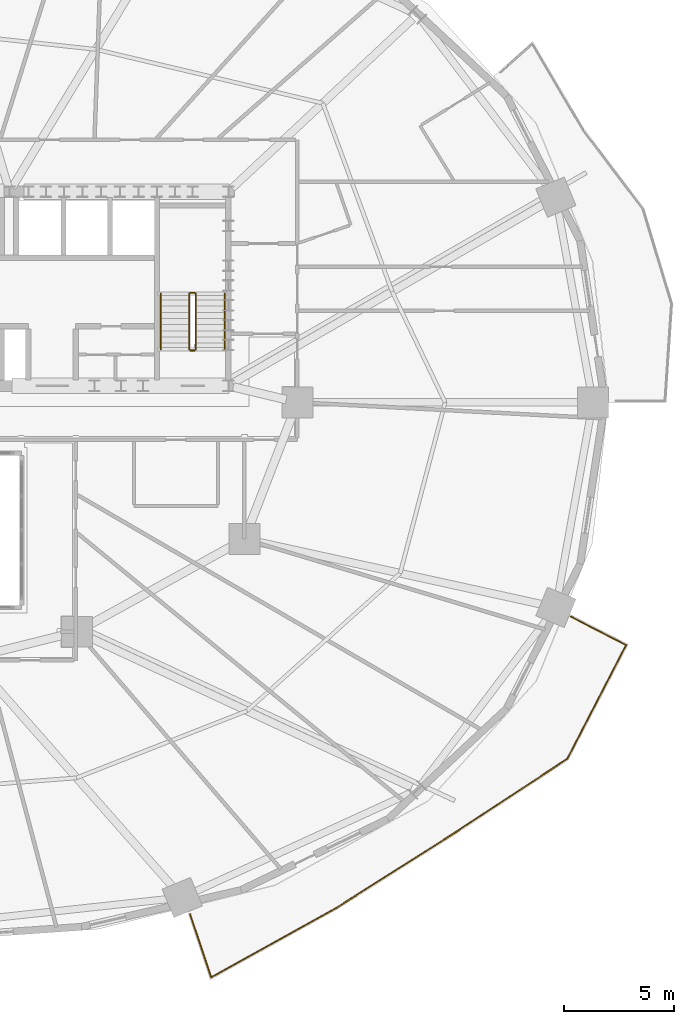
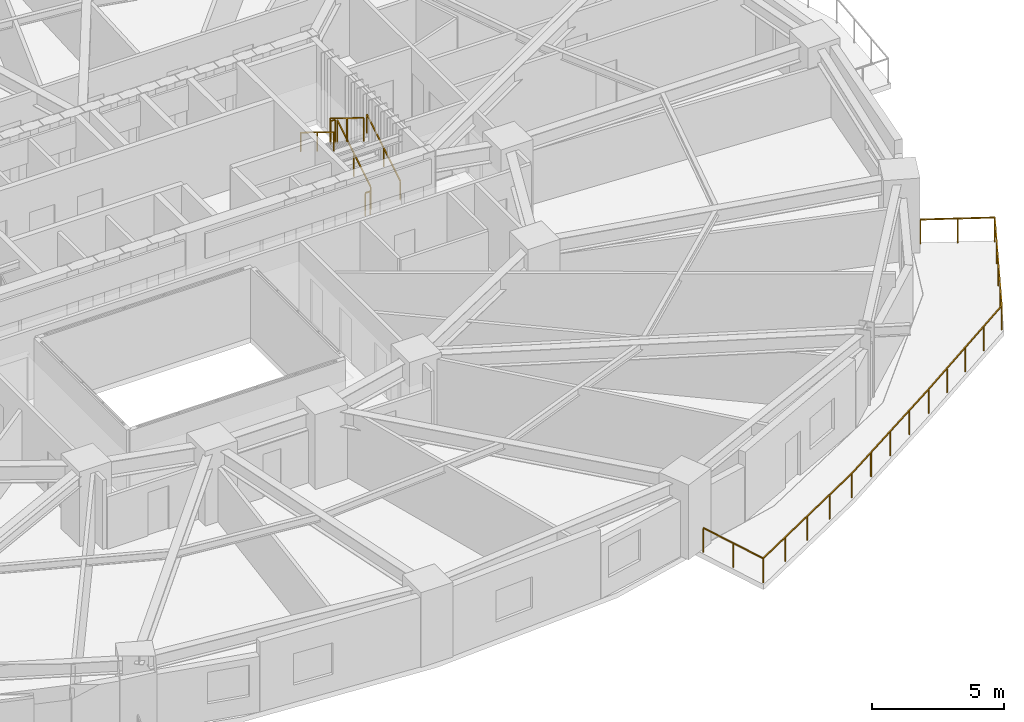
# One storey, part 17 of 18: 7 railings.
"""IFC4 building model written with IfcOpenShell, lengths in metres."""

import ifcopenshell
import ifcopenshell.guid

model = None  # the IFC model being written
_history = None  # IfcOwnerHistory: only IFC2X3 demands one
_inside = {}  # id of a spatial element -> (the spatial element, [elements in it])
_under = {}  # id of a project, library or spatial element -> (it, [spatial elements below it])
_declared = {}  # id of a project -> (the project, [libraries it declares])
_typed = {}  # id of a type object -> (the type object, [elements of that type])
_made_of = {}  # id of a material, layer set ... -> (it, [elements and type objects made of it])


def new_model(schema):
    """Start an empty IFC model of exactly this schema.

    Asked for "IFC4X3", IfcOpenShell would pick the latest addendum, in which some entities
    have other attributes; the version numbers below select the first issue.
    IFC2X3 requires an IfcOwnerHistory on every rooted entity: one is made here for all.
    """
    global model, _history
    if schema == "IFC4X3":
        model = ifcopenshell.file(schema_version=(4, 3, 0, 0))
    else:
        model = ifcopenshell.file(schema=schema)
    _inside.clear()
    _under.clear()
    _declared.clear()
    _typed.clear()
    _made_of.clear()
    _history = None
    if model.schema == "IFC2X3":
        org = make("IfcOrganization", Name="unknown")
        user = make(
            "IfcPersonAndOrganization",
            ThePerson=make("IfcPerson", FamilyName="unknown"),
            TheOrganization=org,
        )
        app = make(
            "IfcApplication",
            ApplicationDeveloper=org,
            Version="unknown",
            ApplicationFullName="unknown",
            ApplicationIdentifier="unknown",
        )
        _history = make(
            "IfcOwnerHistory",
            OwningUser=user,
            OwningApplication=app,
            ChangeAction="ADDED",
            CreationDate=0,
        )
    return model


def make(cls, **values):
    """One entity of the class cls with the attributes given. An attribute that is None is left unset."""
    return model.create_entity(
        cls, **{name: value for name, value in values.items() if value is not None}
    )


def rooted(cls, **values):
    """An entity with a GlobalId (a new one), such as an element, a storey or a relation."""
    return make(cls, GlobalId=ifcopenshell.guid.new(), OwnerHistory=_history, **values)


def si_unit(unit_type, name, prefix=None):
    """IfcSIUnit, for example si_unit("LENGTHUNIT", "METRE", prefix="MILLI")."""
    return make("IfcSIUnit", UnitType=unit_type, Prefix=prefix, Name=name)


def assignment(units):
    """IfcUnitAssignment: the units of a project."""
    return None if units is None else make("IfcUnitAssignment", Units=units)


def point(xyz):
    """IfcCartesianPoint."""
    return None if xyz is None else make("IfcCartesianPoint", Coordinates=xyz)


def direction(xyz):
    """IfcDirection."""
    return None if xyz is None else make("IfcDirection", DirectionRatios=xyz)


def frame(location, z_axis=None, x_axis=None):
    """IfcAxis2Placement3D, a coordinate frame: its origin and axes. An axis left out is left unset."""
    return make(
        "IfcAxis2Placement3D",
        Location=point(location),
        Axis=direction(z_axis),
        RefDirection=direction(x_axis),
    )


def frame_2d(location, x_axis=None):
    """IfcAxis2Placement2D, a coordinate frame in the plane: its origin and x axis."""
    return make(
        "IfcAxis2Placement2D", Location=point(location), RefDirection=direction(x_axis)
    )


def origin():
    """The frame at (0, 0, 0) with its axes left unset."""
    return frame((0.0, 0.0, 0.0))


def origin_2d():
    """The frame at (0, 0) in the plane with its x axis left unset."""
    return frame_2d((0.0, 0.0))


def place(relative_to, where):
    """IfcLocalPlacement: puts the frame where relative to a parent placement (None: the world)."""
    return make(
        "IfcLocalPlacement", PlacementRelTo=relative_to, RelativePlacement=where
    )


def context(
    kind, dimensions, precision=None, world=None, true_north=None, identifier=None
):
    """IfcGeometricRepresentationContext, for example the 3D "Model" context."""
    return make(
        "IfcGeometricRepresentationContext",
        ContextIdentifier=identifier,
        ContextType=kind,
        CoordinateSpaceDimension=dimensions,
        Precision=precision,
        WorldCoordinateSystem=world,
        TrueNorth=true_north,
    )


def subcontext(parent, identifier, kind, view, scale=None):
    """IfcGeometricRepresentationSubContext, for example "Body" below "Model"."""
    return make(
        "IfcGeometricRepresentationSubContext",
        ContextIdentifier=identifier,
        ContextType=kind,
        ParentContext=parent,
        TargetScale=scale,
        TargetView=view,
    )


def project(units=None, contexts=None):
    """IfcProject with its units and contexts."""
    return rooted(
        "IfcProject",
        Name="project",
        RepresentationContexts=contexts,
        UnitsInContext=assignment(units),
    )


def spatial(cls, under=None, at=None, **own):
    """A site, building, storey or space (cls), placed at a placement, below another one or the project."""
    s = rooted(cls, ObjectPlacement=at, **own)
    if under is not None:
        _under.setdefault(under.id(), (under, []))[1].append(s)
    return s


def profile(cls, at=None, kind="AREA", **sizes):
    """A parametric profile (cls). Its sizes go by their IFC names, for example OverallWidth=200.0."""
    return make(cls, ProfileType=kind, Position=at, **sizes)


def rectangle(**sizes):
    """IfcRectangleProfileDef."""
    return profile("IfcRectangleProfileDef", **sizes)


def extrude(swept, where, along, depth):
    """IfcExtrudedAreaSolid: the profile swept, set in the frame where, extruded along a direction by depth."""
    return make(
        "IfcExtrudedAreaSolid",
        SweptArea=swept,
        Position=where,
        ExtrudedDirection=direction(along),
        Depth=depth,
    )


def shape(context_of_items, identifier, shape_type, items):
    """IfcShapeRepresentation: the items that make up one representation, for example the "Body"."""
    return make(
        "IfcShapeRepresentation",
        ContextOfItems=context_of_items,
        RepresentationIdentifier=identifier,
        RepresentationType=shape_type,
        Items=items,
    )


def material(Name=None, Category=None):
    """IfcMaterial."""
    return make("IfcMaterial", Name=Name, Category=Category)


def made_of(thing, what):
    """Note that an element or type object is made of a material, layer set ...; save() writes the relation."""
    if what is not None:
        _made_of.setdefault(what.id(), (what, []))[1].append(thing)
    return thing


def type_object(cls, material=None, **own):
    """A type object (cls), such as IfcWallType, which elements share."""
    return made_of(rooted(cls, **own), material)


def element(
    cls,
    number,
    at=None,
    inside=None,
    cuts=None,
    type_object=None,
    material=None,
    context=None,
    identifier="Body",
    shape_type=None,
    held_by="IfcProductDefinitionShape",
    body=None,
    shapes=None,
    **own,
):
    """One element of the class cls, such as IfcWall. Its Tag is "e" and its number.

    at: its placement. inside: the storey or other place that contains it. cuts: it is an
    opening in that element (IfcRelVoidsElement). A single representation is given by context,
    identifier, shape_type and body (its items); several are given by shapes. held_by: the class
    of the entity that holds the representations. save() writes the other relations.
    """
    e = rooted(cls, Tag="e%d" % number, ObjectPlacement=at, **own)
    if body is not None:
        shapes = [shape(context, identifier, shape_type, body)]
    if shapes is not None:
        e.Representation = make(held_by, Representations=shapes)
    if inside is not None:
        _inside.setdefault(inside.id(), (inside, []))[1].append(e)
    if cuts is not None:
        rooted(
            "IfcRelVoidsElement", RelatingBuildingElement=cuts, RelatedOpeningElement=e
        )
    if type_object is not None:
        _typed.setdefault(type_object.id(), (type_object, []))[1].append(e)
    return made_of(e, material)


def aggregate(whole, parts):
    """IfcRelAggregates: a whole, such as a stair, and the parts it consists of."""
    return rooted("IfcRelAggregates", RelatingObject=whole, RelatedObjects=parts)


def save(model, path):
    """Write the relations noted so far, then the file.

    IfcRelAggregates (storeys below a building ...), IfcRelContainedInSpatialStructure (elements
    in a storey), IfcRelDefinesByType, IfcRelAssociatesMaterial and IfcRelDeclares: one each for
    every whole, place, type object, material and project.
    """
    for whole, parts in _under.values():
        aggregate(whole, parts)
    for where, things in _inside.values():
        rooted(
            "IfcRelContainedInSpatialStructure",
            RelatedElements=things,
            RelatingStructure=where,
        )
    for kind, things in _typed.values():
        rooted("IfcRelDefinesByType", RelatedObjects=things, RelatingType=kind)
    for what, things in _made_of.values():
        rooted("IfcRelAssociatesMaterial", RelatedObjects=things, RelatingMaterial=what)
    for by, libraries in _declared.values():
        rooted("IfcRelDeclares", RelatingContext=by, RelatedDefinitions=libraries)
    model.write(path)


model = new_model("IFC4")

# Units and contexts
model_context = context("Model", 3, precision=1e-05, world=origin(), true_north=direction((0.0, 1.0)))
body_context = subcontext(model_context, "Body", "Model", "MODEL_VIEW")
ifc_project = project(units=[si_unit("LENGTHUNIT", "METRE"), si_unit("AREAUNIT", "SQUARE_METRE"), si_unit("VOLUMEUNIT", "CUBIC_METRE"), si_unit("PLANEANGLEUNIT", "RADIAN"), si_unit("MASSUNIT", "GRAM", prefix="KILO")], contexts=[model_context])

# Site, building, storey
site_placement = place(None, origin())
site = spatial("IfcSite", under=ifc_project, at=site_placement, CompositionType="ELEMENT")
building_placement = place(site_placement, origin())
building = spatial("IfcBuilding", under=site, at=building_placement, Name="Haldorwick Loom Tower", CompositionType="ELEMENT")
storey_placement = place(building_placement, frame((0.0, 0.0, 41.25)))
storey = spatial("IfcBuildingStorey", under=building, at=storey_placement, Name="L10", CompositionType="ELEMENT", Elevation=41.25)

# Railings
ifc_material_1 = material(Name="Galvanized Steel CSA G40.21 350W", Category="steel")
railing_type_1 = type_object("IfcRailingType", Name="ARC-RLG-BAL115", PredefinedType="BALUSTRADE", material=ifc_material_1)
railing_1_placement = place(storey_placement, frame((65.593017578125, 16.288818359375, 0.0)))
element("IfcRailing", 1, at=railing_1_placement, inside=storey, type_object=railing_type_1, Name="L10 Outdoor Terrace Guardrail SLB-L10-BAL_SE-1", PredefinedType="BALUSTRADE", context=body_context, shape_type="SweptSolid", body=[
    extrude(rectangle(XDim=0.048095703125, YDim=0.048095703125, at=origin_2d()), frame((0.0, 0.0, 1.1259765625), z_axis=(0.888909431133, -0.458082987289, 0.0), x_axis=(0.458082987289, 0.888909431133, 0.0)), (0.0, 0.0, 1.0), 2.821533203125),
    extrude(rectangle(XDim=0.048095703125, YDim=0.048095703125, at=origin_2d()), frame((2.508056640625, -1.29248046875, 1.1259765625), z_axis=(-0.459876733973, -0.887982764219, 0.0), x_axis=(0.887982764219, -0.459876733973, 0.0)), (0.0, 0.0, 1.0), 5.8095703125),
    extrude(rectangle(XDim=0.048095703125, YDim=0.048095703125, at=origin_2d()), frame((-0.16357421875, -6.451171875, 1.1259765625), z_axis=(-0.835627954214, -0.549295842089, 0.0), x_axis=(0.549295842089, -0.835627954214, 0.0)), (0.0, 0.0, 1.0), 6.153564453125),
    extrude(rectangle(XDim=0.048095703125, YDim=0.048095703125, at=origin_2d()), frame((-5.3056640625, -9.831298828125, 1.1259765625), z_axis=(-0.844437349753, -0.535654331021, 0.0), x_axis=(0.535654331021, -0.844437349753, 0.0)), (0.0, 0.0, 1.0), 6.277099609375),
    extrude(rectangle(XDim=0.048095703125, YDim=0.048095703125, at=origin_2d()), frame((-10.606201171875, -13.193603515625, 1.1259765625), z_axis=(-0.873916825296, -0.4860754905, 0.0), x_axis=(0.4860754905, -0.873916825296, 0.0)), (0.0, 0.0, 1.0), 6.516357421875),
    extrude(rectangle(XDim=0.048095703125, YDim=0.048095703125, at=origin_2d()), frame((-16.301025390625, -16.361083984375, 1.1259765625), z_axis=(-0.316567358246, 0.948570033099, 0.0), x_axis=(-0.948570033099, -0.316567358246, 0.0)), (0.0, 0.0, 1.0), 3.019287109375),
    extrude(rectangle(XDim=0.0419921875, YDim=0.0419921875, at=origin_2d()), origin(), (0.0, 0.0, 1.0), 1.101806640625),
    extrude(rectangle(XDim=0.0419921875, YDim=0.0419921875, at=origin_2d()), frame((1.25390625, -0.646240234375, 0.0)), (0.0, 0.0, 1.0), 1.101806640625),
    extrude(rectangle(XDim=0.0419921875, YDim=0.0419921875, at=origin_2d()), frame((2.508056640625, -1.29248046875, 0.0)), (0.0, 0.0, 1.0), 1.101806640625),
    extrude(rectangle(XDim=0.0419921875, YDim=0.0419921875, at=origin_2d()), frame((1.840087890625, -2.58203125, 0.0)), (0.0, 0.0, 1.0), 1.101806640625),
    extrude(rectangle(XDim=0.0419921875, YDim=0.0419921875, at=origin_2d()), frame((1.17236328125, -3.871826171875, 0.0)), (0.0, 0.0, 1.0), 1.101806640625),
    extrude(rectangle(XDim=0.0419921875, YDim=0.0419921875, at=origin_2d()), frame((0.50439453125, -5.16162109375, 0.0)), (0.0, 0.0, 1.0), 1.101806640625),
    extrude(rectangle(XDim=0.0419921875, YDim=0.0419921875, at=origin_2d()), frame((-0.16357421875, -6.451171875, 0.0)), (0.0, 0.0, 1.0), 1.101806640625),
    extrude(rectangle(XDim=0.0419921875, YDim=0.0419921875, at=origin_2d()), frame((-1.44921875, -7.296142578125, 0.0)), (0.0, 0.0, 1.0), 1.101806640625),
    extrude(rectangle(XDim=0.0419921875, YDim=0.0419921875, at=origin_2d()), frame((-2.734619140625, -8.14111328125, 0.0)), (0.0, 0.0, 1.0), 1.101806640625),
    extrude(rectangle(XDim=0.0419921875, YDim=0.0419921875, at=origin_2d()), frame((-4.02001953125, -8.986328125, 0.0)), (0.0, 0.0, 1.0), 1.101806640625),
    extrude(rectangle(XDim=0.0419921875, YDim=0.0419921875, at=origin_2d()), frame((-5.3056640625, -9.831298828125, 0.0)), (0.0, 0.0, 1.0), 1.101806640625),
    extrude(rectangle(XDim=0.0419921875, YDim=0.0419921875, at=origin_2d()), frame((-6.630859375, -10.671875, 0.0)), (0.0, 0.0, 1.0), 1.101806640625),
    extrude(rectangle(XDim=0.0419921875, YDim=0.0419921875, at=origin_2d()), frame((-7.9560546875, -11.512451171875, 0.0)), (0.0, 0.0, 1.0), 1.101806640625),
    extrude(rectangle(XDim=0.0419921875, YDim=0.0419921875, at=origin_2d()), frame((-9.281005859375, -12.35302734375, 0.0)), (0.0, 0.0, 1.0), 1.101806640625),
    extrude(rectangle(XDim=0.0419921875, YDim=0.0419921875, at=origin_2d()), frame((-10.606201171875, -13.193603515625, 0.0)), (0.0, 0.0, 1.0), 1.101806640625),
    extrude(rectangle(XDim=0.0419921875, YDim=0.0419921875, at=origin_2d()), frame((-12.02978515625, -13.9853515625, 0.0)), (0.0, 0.0, 1.0), 1.101806640625),
    extrude(rectangle(XDim=0.0419921875, YDim=0.0419921875, at=origin_2d()), frame((-13.45361328125, -14.77734375, 0.0)), (0.0, 0.0, 1.0), 1.101806640625),
    extrude(rectangle(XDim=0.0419921875, YDim=0.0419921875, at=origin_2d()), frame((-14.87744140625, -15.5693359375, 0.0)), (0.0, 0.0, 1.0), 1.101806640625),
    extrude(rectangle(XDim=0.0419921875, YDim=0.0419921875, at=origin_2d()), frame((-16.301025390625, -16.361083984375, 0.0)), (0.0, 0.0, 1.0), 1.101806640625),
    extrude(rectangle(XDim=0.0419921875, YDim=0.0419921875, at=origin_2d()), frame((-16.77880859375, -14.92919921875, 0.0)), (0.0, 0.0, 1.0), 1.101806640625),
    extrude(rectangle(XDim=0.0419921875, YDim=0.0419921875, at=origin_2d()), frame((-17.2568359375, -13.4970703125, 0.0)), (0.0, 0.0, 1.0), 1.101806640625),
])
ifc_material_2 = material(Name="Steel CSA G40.21 350W", Category="steel")
railing_type_2 = type_object("IfcRailingType", Name="ARC-RLG-GUARD112", PredefinedType="GUARDRAIL", material=ifc_material_2)
railing_2_placement = place(storey_placement, frame((48.60009765625, 28.39990234375, 0.172607421875)))
element("IfcRailing", 2, at=railing_2_placement, inside=storey, type_object=railing_type_2, Name="L10 ST-02 stair guard 1", PredefinedType="GUARDRAIL", context=body_context, shape_type="SweptSolid", body=[
    extrude(rectangle(XDim=0.048095703125, YDim=0.048095703125, at=origin_2d()), frame((0.0, 0.0, 1.076171875), z_axis=(0.0, 0.851400495292, 0.524516154772), x_axis=(-1.0, 0.0, 0.0)), (0.0, 0.0, 1.0), 2.9599609375),
    extrude(rectangle(XDim=0.0419921875, YDim=0.0419921875, at=origin_2d()), origin(), (0.0, 0.0, 1.0), 1.052001953125),
    extrude(rectangle(XDim=0.0419921875, YDim=0.0419921875, at=origin_2d()), frame((0.0, 1.260009765625, 0.7763671875)), (0.0, 0.0, 1.0), 1.052001953125),
    extrude(rectangle(XDim=0.0419921875, YDim=0.0419921875, at=origin_2d()), frame((0.0, 2.52001953125, 1.552490234375)), (0.0, 0.0, 1.0), 1.052001953125),
])
railing_3_placement = place(storey_placement, frame((48.550048828125, 30.969970703125, 1.72509765625)))
element("IfcRailing", 3, at=railing_3_placement, inside=storey, type_object=railing_type_2, Name="L10 ST-02 stair guard 2", PredefinedType="GUARDRAIL", context=body_context, shape_type="SweptSolid", body=[
    extrude(rectangle(XDim=0.048095703125, YDim=0.048095703125, at=origin_2d()), frame((0.0, 0.0, 1.076171875), z_axis=(-1.0, 0.0, 0.0), x_axis=(0.0, -1.0, 0.0)), (0.0, 0.0, 1.0), 0.199951171875),
    extrude(rectangle(XDim=0.0419921875, YDim=0.0419921875, at=origin_2d()), origin(), (0.0, 0.0, 1.0), 1.052001953125),
    extrude(rectangle(XDim=0.0419921875, YDim=0.0419921875, at=origin_2d()), frame((-0.199951171875, 0.0, 0.0)), (0.0, 0.0, 1.0), 1.052001953125),
])
railing_4_placement = place(storey_placement, frame((48.300048828125, 30.919921875, 1.8974609375)))
element("IfcRailing", 4, at=railing_4_placement, inside=storey, type_object=railing_type_2, Name="L10 ST-02 stair guard 3", PredefinedType="GUARDRAIL", context=body_context, shape_type="SweptSolid", body=[
    extrude(rectangle(XDim=0.048095703125, YDim=0.048095703125, at=origin_2d()), frame((0.0, 0.0, 1.076171875), z_axis=(0.0, -0.851400495292, 0.524516154772), x_axis=(1.0, 0.0, 0.0)), (0.0, 0.0, 1.0), 2.9599609375),
    extrude(rectangle(XDim=0.0419921875, YDim=0.0419921875, at=origin_2d()), origin(), (0.0, 0.0, 1.0), 1.052001953125),
    extrude(rectangle(XDim=0.0419921875, YDim=0.0419921875, at=origin_2d()), frame((0.0, -1.260009765625, 0.7763671875)), (0.0, 0.0, 1.0), 1.052001953125),
    extrude(rectangle(XDim=0.0419921875, YDim=0.0419921875, at=origin_2d()), frame((0.0, -2.52001953125, 1.552490234375)), (0.0, 0.0, 1.0), 1.052001953125),
])
railing_5_placement = place(storey_placement, frame((48.550048828125, 28.35009765625, 0.0)))
element("IfcRailing", 5, at=railing_5_placement, inside=storey, type_object=railing_type_2, Name="L10 ST-02 stair guard 4", PredefinedType="GUARDRAIL", context=body_context, shape_type="SweptSolid", body=[
    extrude(rectangle(XDim=0.048095703125, YDim=0.048095703125, at=origin_2d()), frame((0.0, 0.0, 1.076171875), z_axis=(-1.0, 0.0, 0.0), x_axis=(0.0, -1.0, 0.0)), (0.0, 0.0, 1.0), 0.199951171875),
    extrude(rectangle(XDim=0.0419921875, YDim=0.0419921875, at=origin_2d()), origin(), (0.0, 0.0, 1.0), 1.052001953125),
    extrude(rectangle(XDim=0.0419921875, YDim=0.0419921875, at=origin_2d()), frame((-0.199951171875, 0.0, 0.0)), (0.0, 0.0, 1.0), 1.052001953125),
])
railing_type_3 = type_object("IfcRailingType", Name="ARC-RLG-HAND092", PredefinedType="HANDRAIL", material=ifc_material_2)
railing_6_placement = place(storey_placement, frame((49.89990234375, 28.39990234375, 0.172607421875)))
element("IfcRailing", 6, at=railing_6_placement, inside=storey, type_object=railing_type_3, Name="L10 ST-02 stair handrail 1", PredefinedType="HANDRAIL", context=body_context, shape_type="SweptSolid", body=[
    extrude(rectangle(XDim=0.048095703125, YDim=0.048095703125, at=origin_2d()), frame((0.0, 0.0, 0.8759765625), z_axis=(0.0, 0.851400495292, 0.524516154772), x_axis=(-1.0, 0.0, 0.0)), (0.0, 0.0, 1.0), 2.9599609375),
    extrude(rectangle(XDim=0.0419921875, YDim=0.0419921875, at=origin_2d()), origin(), (0.0, 0.0, 1.0), 0.851806640625),
    extrude(rectangle(XDim=0.0419921875, YDim=0.0419921875, at=origin_2d()), frame((0.0, 1.260009765625, 0.7763671875)), (0.0, 0.0, 1.0), 0.851806640625),
    extrude(rectangle(XDim=0.0419921875, YDim=0.0419921875, at=origin_2d()), frame((0.0, 2.52001953125, 1.552490234375)), (0.0, 0.0, 1.0), 0.851806640625),
])
railing_7_placement = place(storey_placement, frame((47.0, 30.919921875, 1.8974609375)))
element("IfcRailing", 7, at=railing_7_placement, inside=storey, type_object=railing_type_3, Name="L10 ST-02 stair handrail 2", PredefinedType="HANDRAIL", context=body_context, shape_type="SweptSolid", body=[
    extrude(rectangle(XDim=0.048095703125, YDim=0.048095703125, at=origin_2d()), frame((0.0, 0.0, 0.8759765625), z_axis=(0.0, -0.851400495292, 0.524516154772), x_axis=(1.0, 0.0, 0.0)), (0.0, 0.0, 1.0), 2.9599609375),
    extrude(rectangle(XDim=0.0419921875, YDim=0.0419921875, at=origin_2d()), origin(), (0.0, 0.0, 1.0), 0.851806640625),
    extrude(rectangle(XDim=0.0419921875, YDim=0.0419921875, at=origin_2d()), frame((0.0, -1.260009765625, 0.7763671875)), (0.0, 0.0, 1.0), 0.851806640625),
    extrude(rectangle(XDim=0.0419921875, YDim=0.0419921875, at=origin_2d()), frame((0.0, -2.52001953125, 1.552490234375)), (0.0, 0.0, 1.0), 0.851806640625),
])

save(model, "model.ifc")
